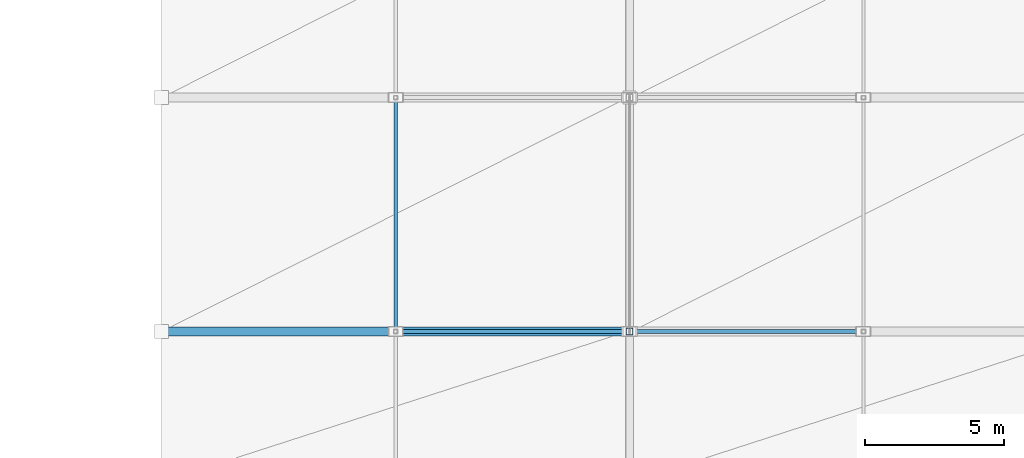
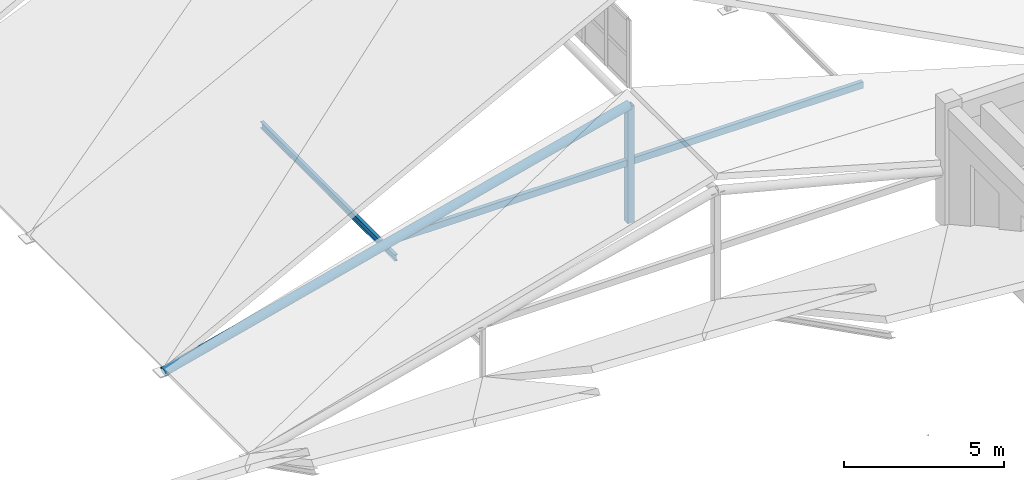
# One storey, part 12 of 76: 4 members.
"""IFC4 building model written with IfcOpenShell, lengths in metres."""

from ifc_helpers import new_model, si_unit, direction, frame, origin, origin_2d, place, context, subcontext, project, spatial, hollow_rectangle, hollow_circle, i_section, extrude, material, material_profile, profile_set, type_object, element, save


model = new_model("IFC4")

# Units and contexts
model_context = context("Model", 3, precision=1e-05, world=origin(), true_north=direction((0.0, 1.0)))
body_context = subcontext(model_context, "Body", "Model", "MODEL_VIEW")
ifc_project = project(units=[si_unit("LENGTHUNIT", "METRE"), si_unit("AREAUNIT", "SQUARE_METRE"), si_unit("VOLUMEUNIT", "CUBIC_METRE"), si_unit("PLANEANGLEUNIT", "RADIAN"), si_unit("MASSUNIT", "GRAM", prefix="KILO")], contexts=[model_context])

# Site, building, storey
site_placement = place(None, origin())
site = spatial("IfcSite", under=ifc_project, at=site_placement, CompositionType="ELEMENT")
building_placement = place(site_placement, origin())
building = spatial("IfcBuilding", under=site, at=building_placement, Name="Krzemoval Escarpment Law Courts", CompositionType="ELEMENT")
storey_placement = place(building_placement, frame((0.0, 0.0, 20.39990234375)))
storey = spatial("IfcBuildingStorey", under=building, at=storey_placement, Name="L04", CompositionType="ELEMENT", Elevation=20.39990234375)

# Members
ifc_material_1 = material(Name="Steel S355", Category="steel")
ifc_material_profile_1 = material_profile(ifc_material_1, hollow_circle(Radius=0.161865234375, WallThickness=0.01611328125, at=origin_2d()), Name="CHS 323.9x16")
ifc_profile_set_1 = profile_set([ifc_material_profile_1], Name="Steel S355")
member_type_1 = type_object("IfcMemberType", Name="MBR-CHD-CHS324", PredefinedType="CHORD", material=ifc_profile_set_1)
member_1_placement = place(storey_placement, frame((8.39990234375, 40.800048828125, -0.14990234375), z_axis=(0.96876999437, 0.0, 0.247961081639), x_axis=(0.0, 1.0, 0.0)))
element("IfcMember", 1, at=member_1_placement, inside=storey, type_object=member_type_1, Name="Roof Rafter Chord TC-0010", PredefinedType="CHORD", context=body_context, shape_type="SweptSolid", body=[
    extrude(hollow_circle(Radius=0.161865234375, WallThickness=0.01611328125, at=origin_2d()), origin(), (0.0, 0.0, 1.0), 17.341552734375),
])
ifc_material_2 = material(Name="Steel S355", Category="steel")
ifc_material_profile_2 = material_profile(ifc_material_2, hollow_rectangle(XDim=0.14990234375, YDim=0.25, WallThickness=0.010009765625, at=origin_2d()), Name="RHS 250x150x10")
ifc_profile_set_2 = profile_set([ifc_material_profile_2], Name="Steel S355")
member_type_2 = type_object("IfcMemberType", Name="MBR-COL-RHS250", PredefinedType="COLLAR", material=ifc_profile_set_2)
member_2_placement = place(storey_placement, frame((16.800048828125, 40.800048828125, 2.0), z_axis=(1.0, 0.0, 0.0), x_axis=(0.0, 1.0, 0.0)))
element("IfcMember", 2, at=member_2_placement, inside=storey, type_object=member_type_2, Name="Roof Collar Tie CL-0012", PredefinedType="COLLAR", context=body_context, shape_type="SweptSolid", body=[
    extrude(hollow_rectangle(XDim=0.14990234375, YDim=0.25, WallThickness=0.010009765625, at=origin_2d()), origin(), (0.0, 0.0, 1.0), 16.800048828125),
])
ifc_material_3 = material(Name="Steel S355", Category="steel")
ifc_material_profile_3 = material_profile(ifc_material_3, i_section(OverallWidth=0.1201171875, OverallDepth=0.239990234375, WebThickness=0.006103515625, FlangeThickness=0.009765625, at=origin_2d()), Name="IPE 240")
ifc_profile_set_3 = profile_set([ifc_material_profile_3], Name="Steel S355")
member_type_3 = type_object("IfcMemberType", Name="MBR-PUR-IPE240", PredefinedType="PURLIN", material=ifc_profile_set_3)
member_3_placement = place(storey_placement, frame((16.800048828125, 40.800048828125, 1.25), z_axis=(0.0, 1.0, 0.0), x_axis=(-1.0, 0.0, 0.0)))
element("IfcMember", 3, at=member_3_placement, inside=storey, type_object=member_type_3, Name="Roof Purlin PR-0059", PredefinedType="PURLIN", context=body_context, shape_type="SweptSolid", body=[
    extrude(i_section(OverallWidth=0.1201171875, OverallDepth=0.239990234375, WebThickness=0.006103515625, FlangeThickness=0.009765625, at=origin_2d()), origin(), (0.0, 0.0, 1.0), 8.39990234375),
])
ifc_material_4 = material(Name="Steel S355", Category="steel")
ifc_material_profile_4 = material_profile(ifc_material_4, hollow_rectangle(XDim=0.25, YDim=0.25, WallThickness=0.012451171875, at=origin_2d()), Name="SHS 250x250x12.5")
ifc_profile_set_4 = profile_set([ifc_material_profile_4], Name="Steel S355")
member_type_4 = type_object("IfcMemberType", Name="MBR-STR-SHS250", PredefinedType="STRUT", material=ifc_profile_set_4)
member_4_placement = place(storey_placement, frame((25.199951171875, 40.800048828125, -0.27978515625), z_axis=(0.0, 0.0, 1.0), x_axis=(1.0, 0.0, 0.0)))
element("IfcMember", 4, at=member_4_placement, inside=storey, type_object=member_type_4, Name="Roof Truss King Strut ST-0007", PredefinedType="STRUT", context=body_context, shape_type="SweptSolid", body=[
    extrude(hollow_rectangle(XDim=0.25, YDim=0.25, WallThickness=0.012451171875, at=origin_2d()), origin(), (0.0, 0.0, 1.0), 4.429931640625),
])

save(model, "model.ifc")
